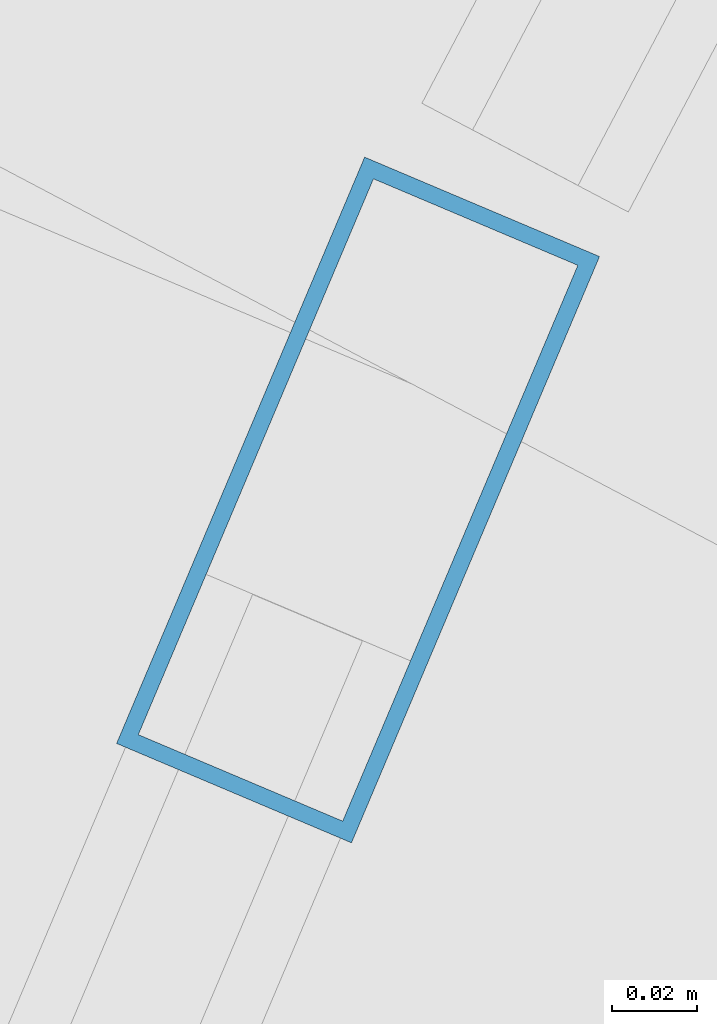
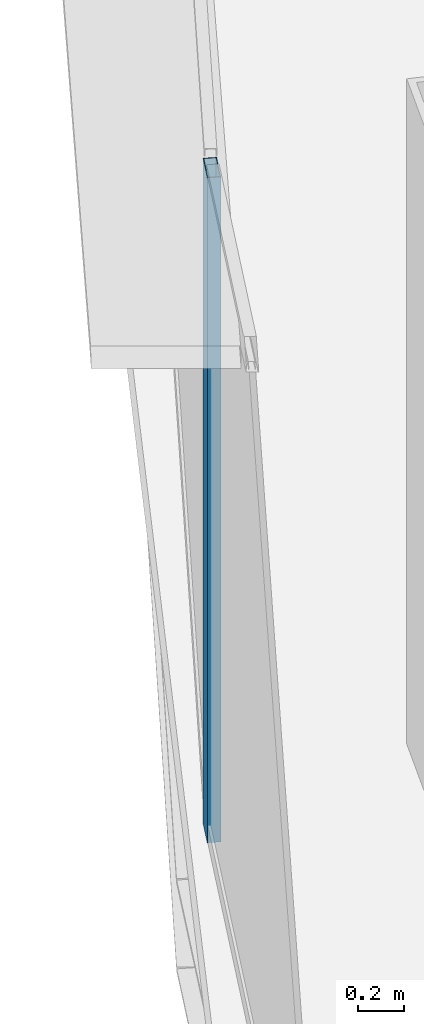
# One storey, part 8 of 36: 1 member, 1 element without a shape of its own.
"""IFC4 building model written with IfcOpenShell, lengths in metres."""

import ifcopenshell
import ifcopenshell.guid

model = None  # the IFC model being written
_history = None  # IfcOwnerHistory: only IFC2X3 demands one
_inside = {}  # id of a spatial element -> (the spatial element, [elements in it])
_under = {}  # id of a project, library or spatial element -> (it, [spatial elements below it])
_declared = {}  # id of a project -> (the project, [libraries it declares])
_typed = {}  # id of a type object -> (the type object, [elements of that type])
_made_of = {}  # id of a material, layer set ... -> (it, [elements and type objects made of it])


def new_model(schema):
    """Start an empty IFC model of exactly this schema.

    Asked for "IFC4X3", IfcOpenShell would pick the latest addendum, in which some entities
    have other attributes; the version numbers below select the first issue.
    IFC2X3 requires an IfcOwnerHistory on every rooted entity: one is made here for all.
    """
    global model, _history
    if schema == "IFC4X3":
        model = ifcopenshell.file(schema_version=(4, 3, 0, 0))
    else:
        model = ifcopenshell.file(schema=schema)
    _inside.clear()
    _under.clear()
    _declared.clear()
    _typed.clear()
    _made_of.clear()
    _history = None
    if model.schema == "IFC2X3":
        org = make("IfcOrganization", Name="unknown")
        user = make(
            "IfcPersonAndOrganization",
            ThePerson=make("IfcPerson", FamilyName="unknown"),
            TheOrganization=org,
        )
        app = make(
            "IfcApplication",
            ApplicationDeveloper=org,
            Version="unknown",
            ApplicationFullName="unknown",
            ApplicationIdentifier="unknown",
        )
        _history = make(
            "IfcOwnerHistory",
            OwningUser=user,
            OwningApplication=app,
            ChangeAction="ADDED",
            CreationDate=0,
        )
    return model


def make(cls, **values):
    """One entity of the class cls with the attributes given. An attribute that is None is left unset."""
    return model.create_entity(
        cls, **{name: value for name, value in values.items() if value is not None}
    )


def rooted(cls, **values):
    """An entity with a GlobalId (a new one), such as an element, a storey or a relation."""
    return make(cls, GlobalId=ifcopenshell.guid.new(), OwnerHistory=_history, **values)


def si_unit(unit_type, name, prefix=None):
    """IfcSIUnit, for example si_unit("LENGTHUNIT", "METRE", prefix="MILLI")."""
    return make("IfcSIUnit", UnitType=unit_type, Prefix=prefix, Name=name)


def assignment(units):
    """IfcUnitAssignment: the units of a project."""
    return None if units is None else make("IfcUnitAssignment", Units=units)


def point(xyz):
    """IfcCartesianPoint."""
    return None if xyz is None else make("IfcCartesianPoint", Coordinates=xyz)


def direction(xyz):
    """IfcDirection."""
    return None if xyz is None else make("IfcDirection", DirectionRatios=xyz)


def frame(location, z_axis=None, x_axis=None):
    """IfcAxis2Placement3D, a coordinate frame: its origin and axes. An axis left out is left unset."""
    return make(
        "IfcAxis2Placement3D",
        Location=point(location),
        Axis=direction(z_axis),
        RefDirection=direction(x_axis),
    )


def frame_2d(location, x_axis=None):
    """IfcAxis2Placement2D, a coordinate frame in the plane: its origin and x axis."""
    return make(
        "IfcAxis2Placement2D", Location=point(location), RefDirection=direction(x_axis)
    )


def origin():
    """The frame at (0, 0, 0) with its axes left unset."""
    return frame((0.0, 0.0, 0.0))


def origin_2d():
    """The frame at (0, 0) in the plane with its x axis left unset."""
    return frame_2d((0.0, 0.0))


def place(relative_to, where):
    """IfcLocalPlacement: puts the frame where relative to a parent placement (None: the world)."""
    return make(
        "IfcLocalPlacement", PlacementRelTo=relative_to, RelativePlacement=where
    )


def context(
    kind, dimensions, precision=None, world=None, true_north=None, identifier=None
):
    """IfcGeometricRepresentationContext, for example the 3D "Model" context."""
    return make(
        "IfcGeometricRepresentationContext",
        ContextIdentifier=identifier,
        ContextType=kind,
        CoordinateSpaceDimension=dimensions,
        Precision=precision,
        WorldCoordinateSystem=world,
        TrueNorth=true_north,
    )


def subcontext(parent, identifier, kind, view, scale=None):
    """IfcGeometricRepresentationSubContext, for example "Body" below "Model"."""
    return make(
        "IfcGeometricRepresentationSubContext",
        ContextIdentifier=identifier,
        ContextType=kind,
        ParentContext=parent,
        TargetScale=scale,
        TargetView=view,
    )


def project(units=None, contexts=None):
    """IfcProject with its units and contexts."""
    return rooted(
        "IfcProject",
        Name="project",
        RepresentationContexts=contexts,
        UnitsInContext=assignment(units),
    )


def spatial(cls, under=None, at=None, **own):
    """A site, building, storey or space (cls), placed at a placement, below another one or the project."""
    s = rooted(cls, ObjectPlacement=at, **own)
    if under is not None:
        _under.setdefault(under.id(), (under, []))[1].append(s)
    return s


def profile(cls, at=None, kind="AREA", **sizes):
    """A parametric profile (cls). Its sizes go by their IFC names, for example OverallWidth=200.0."""
    return make(cls, ProfileType=kind, Position=at, **sizes)


def hollow_rectangle(**sizes):
    """IfcRectangleHollowProfileDef."""
    return profile("IfcRectangleHollowProfileDef", **sizes)


def extrude(swept, where, along, depth):
    """IfcExtrudedAreaSolid: the profile swept, set in the frame where, extruded along a direction by depth."""
    return make(
        "IfcExtrudedAreaSolid",
        SweptArea=swept,
        Position=where,
        ExtrudedDirection=direction(along),
        Depth=depth,
    )


def shape(context_of_items, identifier, shape_type, items):
    """IfcShapeRepresentation: the items that make up one representation, for example the "Body"."""
    return make(
        "IfcShapeRepresentation",
        ContextOfItems=context_of_items,
        RepresentationIdentifier=identifier,
        RepresentationType=shape_type,
        Items=items,
    )


def source(mapping_origin, context_of_items, identifier, shape_type, items):
    """IfcRepresentationMap: a shape defined once, which mapped items show again and again."""
    return make(
        "IfcRepresentationMap",
        MappingOrigin=mapping_origin,
        MappedRepresentation=shape(context_of_items, identifier, shape_type, items),
    )


def transform(
    local_origin,
    x_axis=None,
    y_axis=None,
    z_axis=None,
    scale=None,
    scale2=None,
    scale3=None,
    uniform=True,
):
    """IfcCartesianTransformationOperator3D, or its non-uniform kind. x_axis, y_axis, z_axis: its Axis1, 2, 3."""
    if uniform:
        return make(
            "IfcCartesianTransformationOperator3D",
            Axis1=direction(x_axis),
            Axis2=direction(y_axis),
            LocalOrigin=point(local_origin),
            Scale=scale,
            Axis3=direction(z_axis),
        )
    return make(
        "IfcCartesianTransformationOperator3DnonUniform",
        Axis1=direction(x_axis),
        Axis2=direction(y_axis),
        LocalOrigin=point(local_origin),
        Scale=scale,
        Axis3=direction(z_axis),
        Scale2=scale2,
        Scale3=scale3,
    )


def mapped(mapping_source, mapping_target):
    """IfcMappedItem: shows the shape of a source again, moved by a transform."""
    return make(
        "IfcMappedItem", MappingSource=mapping_source, MappingTarget=mapping_target
    )


def material(Name=None, Category=None):
    """IfcMaterial."""
    return make("IfcMaterial", Name=Name, Category=Category)


def layer(
    of_material, thickness, ventilated=None, Name=None, Category=None, Priority=None
):
    """IfcMaterialLayer: one layer of a wall or slab, of a material (None: an air gap)."""
    return make(
        "IfcMaterialLayer",
        Material=of_material,
        LayerThickness=thickness,
        IsVentilated=ventilated,
        Name=Name,
        Category=Category,
        Priority=Priority,
    )


def layer_set(layers, Name=None):
    """IfcMaterialLayerSet."""
    return make("IfcMaterialLayerSet", MaterialLayers=layers, LayerSetName=Name)


def material_profile(
    of_material, cross_section, Name=None, Category=None, Priority=None
):
    """IfcMaterialProfile: a cross section and its material."""
    return make(
        "IfcMaterialProfile",
        Name=Name,
        Material=of_material,
        Profile=cross_section,
        Priority=Priority,
        Category=Category,
    )


def profile_set(profiles, Name=None, composite=None):
    """IfcMaterialProfileSet."""
    return make(
        "IfcMaterialProfileSet",
        Name=Name,
        MaterialProfiles=profiles,
        CompositeProfile=composite,
    )


def made_of(thing, what):
    """Note that an element or type object is made of a material, layer set ...; save() writes the relation."""
    if what is not None:
        _made_of.setdefault(what.id(), (what, []))[1].append(thing)
    return thing


def type_object(cls, material=None, **own):
    """A type object (cls), such as IfcWallType, which elements share."""
    return made_of(rooted(cls, **own), material)


def element(
    cls,
    number,
    at=None,
    inside=None,
    cuts=None,
    type_object=None,
    material=None,
    context=None,
    identifier="Body",
    shape_type=None,
    held_by="IfcProductDefinitionShape",
    body=None,
    shapes=None,
    **own,
):
    """One element of the class cls, such as IfcWall. Its Tag is "e" and its number.

    at: its placement. inside: the storey or other place that contains it. cuts: it is an
    opening in that element (IfcRelVoidsElement). A single representation is given by context,
    identifier, shape_type and body (its items); several are given by shapes. held_by: the class
    of the entity that holds the representations. save() writes the other relations.
    """
    e = rooted(cls, Tag="e%d" % number, ObjectPlacement=at, **own)
    if body is not None:
        shapes = [shape(context, identifier, shape_type, body)]
    if shapes is not None:
        e.Representation = make(held_by, Representations=shapes)
    if inside is not None:
        _inside.setdefault(inside.id(), (inside, []))[1].append(e)
    if cuts is not None:
        rooted(
            "IfcRelVoidsElement", RelatingBuildingElement=cuts, RelatedOpeningElement=e
        )
    if type_object is not None:
        _typed.setdefault(type_object.id(), (type_object, []))[1].append(e)
    return made_of(e, material)


def aggregate(whole, parts):
    """IfcRelAggregates: a whole, such as a stair, and the parts it consists of."""
    return rooted("IfcRelAggregates", RelatingObject=whole, RelatedObjects=parts)


def save(model, path):
    """Write the relations noted so far, then the file.

    IfcRelAggregates (storeys below a building ...), IfcRelContainedInSpatialStructure (elements
    in a storey), IfcRelDefinesByType, IfcRelAssociatesMaterial and IfcRelDeclares: one each for
    every whole, place, type object, material and project.
    """
    for whole, parts in _under.values():
        aggregate(whole, parts)
    for where, things in _inside.values():
        rooted(
            "IfcRelContainedInSpatialStructure",
            RelatedElements=things,
            RelatingStructure=where,
        )
    for kind, things in _typed.values():
        rooted("IfcRelDefinesByType", RelatedObjects=things, RelatingType=kind)
    for what, things in _made_of.values():
        rooted("IfcRelAssociatesMaterial", RelatedObjects=things, RelatingMaterial=what)
    for by, libraries in _declared.values():
        rooted("IfcRelDeclares", RelatingContext=by, RelatedDefinitions=libraries)
    model.write(path)


model = new_model("IFC4")

# Units and contexts
model_context = context("Model", 3, precision=1e-05, world=origin(), true_north=direction((0.0, 1.0)))
body_context = subcontext(model_context, "Body", "Model", "MODEL_VIEW")
ifc_project = project(units=[si_unit("LENGTHUNIT", "METRE"), si_unit("AREAUNIT", "SQUARE_METRE"), si_unit("VOLUMEUNIT", "CUBIC_METRE"), si_unit("PLANEANGLEUNIT", "RADIAN"), si_unit("MASSUNIT", "GRAM", prefix="KILO"), si_unit("THERMODYNAMICTEMPERATUREUNIT", "KELVIN"), si_unit("POWERUNIT", "WATT")], contexts=[model_context])

# Site, building, storey
site_placement = place(None, origin())
site = spatial("IfcSite", under=ifc_project, at=site_placement, CompositionType="ELEMENT")
building_placement = place(site_placement, origin())
building = spatial("IfcBuilding", under=site, at=building_placement, Name="Yunzhuo Pagoda Commons", CompositionType="ELEMENT")
storey_placement = place(building_placement, frame((0.0, 0.0, 215.159912109375)))
storey = spatial("IfcBuildingStorey", under=building, at=storey_placement, Name="L54", CompositionType="ELEMENT", Elevation=215.159912109375)

# Curtain wall, member
ifc_material = material(Name="Anodized aluminium 6063-T6", Category="aluminium")
ifc_layer = layer(ifc_material, 0.14990234375)
ifc_layer_set = layer_set([ifc_layer], Name="Anodized aluminium 6063-T6")
curtain_wall_type = type_object("IfcCurtainWallType", Name="CW-MID Mid-Zone Ribbon Curtain Wall", PredefinedType="NOTDEFINED", material=ifc_layer_set)
curtain_wall_placement = place(storey_placement, origin())
curtain_wall = element("IfcCurtainWall", 1, at=curtain_wall_placement, inside=storey, type_object=curtain_wall_type, Name="L54 curtain wall CW-L54-F3B4", PredefinedType="NOTDEFINED")
ifc_material_profile = material_profile(ifc_material, hollow_rectangle(XDim=0.06005859375, YDim=0.14990234375, WallThickness=0.00390625, at=origin_2d()), Name="Anodized aluminium 6063-T6")
ifc_profile_set = profile_set([ifc_material_profile], Name="Anodized aluminium 6063-T6")
member_type = type_object("IfcMemberType", Name="CW-MID-M Mullion RHS 150x60x4", PredefinedType="MULLION", material=ifc_profile_set)
shared_shape = source(origin(), body_context, "Body", "SweptSolid", [
    extrude(hollow_rectangle(XDim=0.06005859375, YDim=0.14990234375, WallThickness=0.00390625, at=origin_2d()), origin(), (0.0, 0.0, 1.0), 3.52001953125),
])
member_placement = place(storey_placement, frame((18.150390625, 43.367431640625, 0.0), z_axis=(0.0, 0.0, 1.0), x_axis=(0.920979205321, -0.389611734123, 0.0)))
member = element("IfcMember", 2, at=member_placement, type_object=member_type, Name="CW mullion 1", PredefinedType="MULLION", context=body_context, shape_type="MappedRepresentation", body=[
    mapped(shared_shape, transform((0.0, 0.0, 0.0), scale=1.0)),
])
aggregate(curtain_wall, [member])

save(model, "model.ifc")
